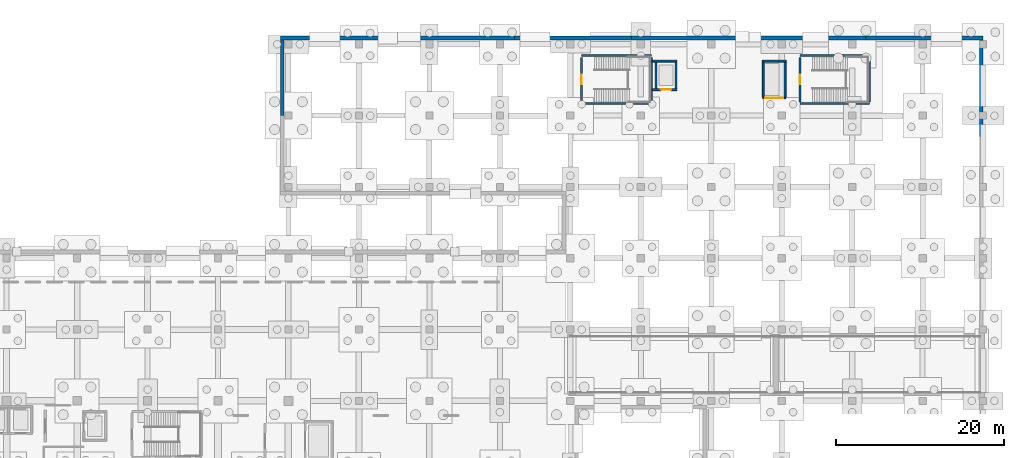
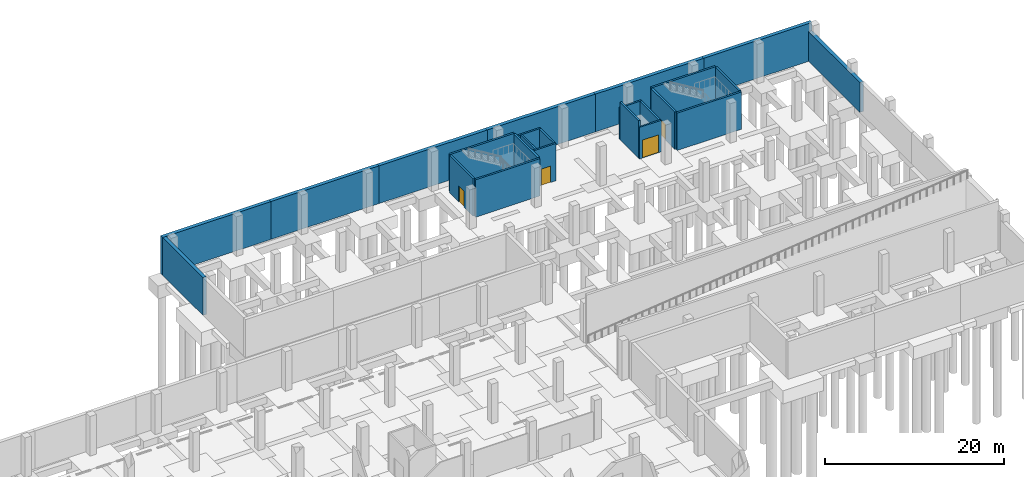
# One storey, part 30 of 34: 24 walls, 4 doors, 4 openings.
"""IFC4 building model written with IfcOpenShell, lengths in metres."""

from ifc_helpers import new_model, si_unit, direction, frame, frame_2d, origin, place, context, subcontext, project, spatial, rectangle, extrude, material, layer, layer_set, type_object, element, fill, save


model = new_model("IFC4")

# Units and contexts
model_context = context("Model", 3, precision=1e-05, world=origin(), true_north=direction((0.0, 1.0)))
body_context = subcontext(model_context, "Body", "Model", "MODEL_VIEW")
ifc_project = project(units=[si_unit("LENGTHUNIT", "METRE"), si_unit("AREAUNIT", "SQUARE_METRE"), si_unit("VOLUMEUNIT", "CUBIC_METRE"), si_unit("PLANEANGLEUNIT", "RADIAN"), si_unit("MASSUNIT", "GRAM", prefix="KILO")], contexts=[model_context])

# Site, building, storey
site_placement = place(None, origin())
site = spatial("IfcSite", under=ifc_project, at=site_placement, CompositionType="ELEMENT")
building_placement = place(site_placement, origin())
building = spatial("IfcBuilding", under=site, at=building_placement, Name="Solvento Point Concert Hall", CompositionType="ELEMENT")
storey_placement = place(building_placement, frame((0.0, 0.0, -5.39990234375)))
storey = spatial("IfcBuildingStorey", under=building, at=storey_placement, Name="B01", CompositionType="ELEMENT", Elevation=-5.39990234375)

# Walls
ifc_material_1 = material(Name="Concrete C40/50", Category="concrete")
ifc_layer_1 = layer(ifc_material_1, 0.300048828125)
ifc_layer_set_1 = layer_set([ifc_layer_1], Name="Concrete C40/50")
wall_type_1 = type_object("IfcWallType", Name="CoreShearWall_300", PredefinedType="SHEAR", material=ifc_layer_set_1)
for number, where, z_axis, x_axis, name in (
    (1, (176.449951171875, 128.949951171875, 0.0), (0.0, 0.0, 1.0), (-1.0, 0.0, 0.0), "Stair core shear wall W-SH1 ST-01 B01"),
    (2, (168.14990234375, 134.64990234375, 0.0), (0.0, 0.0, 1.0), (1.0, 0.0, 0.0), "Stair core shear wall W-SH1 ST-01 B01"),
):
    element("IfcWall", number, at=place(storey_placement, frame(where, z_axis=z_axis, x_axis=x_axis)), inside=storey, type_object=wall_type_1, Name=name, PredefinedType="SHEAR", context=body_context, shape_type="SweptSolid", body=[
        extrude(rectangle(XDim=8.300048828125, YDim=0.25, at=frame_2d((4.14990234375, 0.0))), origin(), (0.0, 0.0, 1.0), 5.099853515625),
    ])

# Wall, opening, door
wall_1_placement = place(storey_placement, frame((168.14990234375, 129.14990234375, 0.0), z_axis=(0.0, 0.0, 1.0), x_axis=(0.0, 1.0, 0.0)))
wall_1 = element("IfcWall", 3, at=wall_1_placement, inside=storey, type_object=wall_type_1, Name="Stair core shear wall W-SH1 ST-01 B01", PredefinedType="SHEAR", context=body_context, shape_type="SweptSolid", body=[
    extrude(rectangle(XDim=5.300048828125, YDim=0.25, at=frame_2d((2.64990234375, 0.0))), origin(), (0.0, 0.0, 1.0), 5.099853515625),
])
opening_1_placement = place(wall_1_placement, frame((2.074951171875, 0.0, 0.0)))
opening_1 = element("IfcOpeningElement", 4, at=opening_1_placement, cuts=wall_1, Name="Opening D-ST1", PredefinedType="OPENING", context=body_context, shape_type="SweptSolid", body=[
    extrude(rectangle(XDim=1.14990234375, YDim=2.179931640625, at=frame_2d((0.574951171875, 1.08984375))), frame((0.0, 0.135009765625, 0.0), z_axis=(0.0, -1.0, 0.0), x_axis=(1.0, 0.0, 0.0)), (0.0, 0.0, 1.0), 0.27001953125),
])
ifc_material_2 = material(Name="Hollow Metal Acoustic Fire Door")
door_type_1 = type_object("IfcDoorType", Name="StairFireDoor_1150", OperationType="NOTDEFINED", PredefinedType="DOOR", material=ifc_material_2)
door_1_placement = place(opening_1_placement, origin())
door_1 = element("IfcDoor", 5, at=door_1_placement, inside=storey, type_object=door_type_1, Name="Protected exit stair door ST-01 B01", OperationType="SINGLE_SWING_LEFT", OverallHeight=2.179931640625, OverallWidth=1.14990234375, PredefinedType="DOOR", context=body_context, shape_type="SweptSolid", body=[
    extrude(rectangle(XDim=1.14990234375, YDim=2.179931640625, at=frame_2d((0.574951171875, 1.08984375))), frame((0.0, 0.02490234375, 0.0), z_axis=(0.0, -1.0, 0.0), x_axis=(1.0, 0.0, 0.0)), (0.0, 0.0, 1.0), 0.050048828125),
])
fill(opening_1, door_1)

# Walls
wall_2_placement = place(storey_placement, frame((176.449951171875, 134.449951171875, 0.0), z_axis=(0.0, 0.0, 1.0), x_axis=(0.0, -1.0, 0.0)))
element("IfcWall", 6, at=wall_2_placement, inside=storey, type_object=wall_type_1, Name="Stair core shear wall W-SH1 ST-01 B01", PredefinedType="SHEAR", context=body_context, shape_type="SweptSolid", body=[
    extrude(rectangle(XDim=5.300048828125, YDim=0.25, at=frame_2d((2.64990234375, 0.0))), origin(), (0.0, 0.0, 1.0), 5.099853515625),
])
for number, where, z_axis, x_axis, name in (
    (7, (202.449951171875, 128.949951171875, 0.0), (0.0, 0.0, 1.0), (-1.0, 0.0, 0.0), "Stair core shear wall W-SH1 ST-02 B01"),
    (8, (194.14990234375, 134.64990234375, 0.0), (0.0, 0.0, 1.0), (1.0, 0.0, 0.0), "Stair core shear wall W-SH1 ST-02 B01"),
):
    element("IfcWall", number, at=place(storey_placement, frame(where, z_axis=z_axis, x_axis=x_axis)), inside=storey, type_object=wall_type_1, Name=name, PredefinedType="SHEAR", context=body_context, shape_type="SweptSolid", body=[
        extrude(rectangle(XDim=8.300048828125, YDim=0.25, at=frame_2d((4.14990234375, 0.0))), origin(), (0.0, 0.0, 1.0), 5.099853515625),
    ])

# Wall, opening, door
wall_3_placement = place(storey_placement, frame((194.14990234375, 129.14990234375, 0.0), z_axis=(0.0, 0.0, 1.0), x_axis=(0.0, 1.0, 0.0)))
wall_3 = element("IfcWall", 9, at=wall_3_placement, inside=storey, type_object=wall_type_1, Name="Stair core shear wall W-SH1 ST-02 B01", PredefinedType="SHEAR", context=body_context, shape_type="SweptSolid", body=[
    extrude(rectangle(XDim=5.300048828125, YDim=0.25, at=frame_2d((2.64990234375, 0.0))), origin(), (0.0, 0.0, 1.0), 5.099853515625),
])
opening_2_placement = place(wall_3_placement, frame((2.074951171875, 0.0, 0.0)))
opening_2 = element("IfcOpeningElement", 10, at=opening_2_placement, cuts=wall_3, Name="Opening D-ST1", PredefinedType="OPENING", context=body_context, shape_type="SweptSolid", body=[
    extrude(rectangle(XDim=1.14990234375, YDim=2.179931640625, at=frame_2d((0.574951171875, 1.08984375))), frame((0.0, 0.135009765625, 0.0), z_axis=(0.0, -1.0, 0.0), x_axis=(1.0, 0.0, 0.0)), (0.0, 0.0, 1.0), 0.27001953125),
])
door_2_placement = place(opening_2_placement, origin())
door_2 = element("IfcDoor", 11, at=door_2_placement, inside=storey, type_object=door_type_1, Name="Protected exit stair door ST-02 B01", OperationType="SINGLE_SWING_RIGHT", OverallHeight=2.179931640625, OverallWidth=1.14990234375, PredefinedType="DOOR", context=body_context, shape_type="SweptSolid", body=[
    extrude(rectangle(XDim=1.14990234375, YDim=2.179931640625, at=frame_2d((0.574951171875, 1.08984375))), frame((0.0, 0.02490234375, 0.0), z_axis=(0.0, -1.0, 0.0), x_axis=(1.0, 0.0, 0.0)), (0.0, 0.0, 1.0), 0.050048828125),
])
fill(opening_2, door_2)

# Wall
wall_4_placement = place(storey_placement, frame((202.449951171875, 134.449951171875, 0.0), z_axis=(0.0, 0.0, 1.0), x_axis=(0.0, -1.0, 0.0)))
element("IfcWall", 12, at=wall_4_placement, inside=storey, type_object=wall_type_1, Name="Stair core shear wall W-SH1 ST-02 B01", PredefinedType="SHEAR", context=body_context, shape_type="SweptSolid", body=[
    extrude(rectangle(XDim=5.300048828125, YDim=0.25, at=frame_2d((2.64990234375, 0.0))), origin(), (0.0, 0.0, 1.0), 5.099853515625),
])

# Wall, opening, door
wall_5_placement = place(storey_placement, frame((176.574951171875, 130.60009765625, 0.0), z_axis=(0.0, 0.0, 1.0), x_axis=(1.0, 0.0, 0.0)))
wall_5 = element("IfcWall", 13, at=wall_5_placement, inside=storey, type_object=wall_type_1, Name="Elevator shaft shear wall W-SH1 LF-01 B01", PredefinedType="SHEAR", context=body_context, shape_type="SweptSolid", body=[
    extrude(rectangle(XDim=2.93505859375, YDim=0.219970703125, at=frame_2d((1.467529296875, 0.0))), origin(), (0.0, 0.0, 1.0), 5.099853515625),
])
opening_3_placement = place(wall_5_placement, frame((1.02490234375, 0.0, 0.0)))
opening_3 = element("IfcOpeningElement", 14, at=opening_3_placement, cuts=wall_5, Name="Opening LD-01", PredefinedType="OPENING", context=body_context, shape_type="SweptSolid", body=[
    extrude(rectangle(XDim=1.199951171875, YDim=2.25, at=frame_2d((0.60009765625, 1.125))), frame((0.0, 0.119873046875, 0.0), z_axis=(0.0, -1.0, 0.0), x_axis=(1.0, 0.0, 0.0)), (0.0, 0.0, 1.0), 0.239990234375),
])
ifc_material_3 = material(Name="Hollow Metal Acoustic Fire Door")
door_type_2 = type_object("IfcDoorType", Name="LiftLandingDoor_FF", OperationType="SLIDING_TO_LEFT", PredefinedType="DOOR", material=ifc_material_3)
door_3_placement = place(opening_3_placement, origin())
door_3 = element("IfcDoor", 15, at=door_3_placement, inside=storey, type_object=door_type_2, Name="Elevator landing door LF-01 B01", OperationType="SLIDING_TO_LEFT", OverallHeight=2.25, OverallWidth=1.199951171875, PredefinedType="DOOR", context=body_context, shape_type="SweptSolid", body=[
    extrude(rectangle(XDim=1.199951171875, YDim=2.25, at=frame_2d((0.60009765625, 1.125))), frame((0.0, 0.02490234375, 0.0), z_axis=(0.0, -1.0, 0.0), x_axis=(1.0, 0.0, 0.0)), (0.0, 0.0, 1.0), 0.050048828125),
])
fill(opening_3, door_3)

# Walls
wall_6_placement = place(storey_placement, frame((176.574951171875, 134.0, 0.0), z_axis=(0.0, 0.0, 1.0), x_axis=(1.0, 0.0, 0.0)))
element("IfcWall", 16, at=wall_6_placement, inside=storey, type_object=wall_type_1, Name="Elevator shaft shear wall W-SH1 LF-01 B01", PredefinedType="SHEAR", context=body_context, shape_type="SweptSolid", body=[
    extrude(rectangle(XDim=2.93505859375, YDim=0.219970703125, at=frame_2d((1.467529296875, 0.0))), origin(), (0.0, 0.0, 1.0), 5.099853515625),
])
for number, where, z_axis, x_axis, name in (
    (17, (177.0, 130.7099609375, 0.0), (0.0, 0.0, 1.0), (0.0, 1.0, 0.0), "Elevator shaft shear wall W-SH1 LF-01 B01"),
    (18, (179.39990234375, 130.7099609375, 0.0), (0.0, 0.0, 1.0), (0.0, 1.0, 0.0), "Elevator shaft shear wall W-SH1 LF-01 B01"),
):
    element("IfcWall", number, at=place(storey_placement, frame(where, z_axis=z_axis, x_axis=x_axis)), inside=storey, type_object=wall_type_1, Name=name, PredefinedType="SHEAR", context=body_context, shape_type="SweptSolid", body=[
        extrude(rectangle(XDim=3.179931640625, YDim=0.219970703125, at=frame_2d((1.58984375, 0.0))), origin(), (0.0, 0.0, 1.0), 5.099853515625),
    ])

# Wall, opening, door
wall_7_placement = place(storey_placement, frame((189.68994140625, 129.60009765625, 0.0), z_axis=(0.0, 0.0, 1.0), x_axis=(1.0, 0.0, 0.0)))
wall_7 = element("IfcWall", 19, at=wall_7_placement, inside=storey, type_object=wall_type_1, Name="Elevator shaft shear wall W-SH1 LG-02 B01", PredefinedType="SHEAR", context=body_context, shape_type="SweptSolid", body=[
    extrude(rectangle(XDim=2.820068359375, YDim=0.219970703125, at=frame_2d((1.41015625, 0.0))), origin(), (0.0, 0.0, 1.0), 4.31396484375),
])
opening_4_placement = place(wall_7_placement, frame((0.360107421875, 0.0, 0.0)))
opening_4 = element("IfcOpeningElement", 20, at=opening_4_placement, cuts=wall_7, Name="Opening LD-03", PredefinedType="OPENING", context=body_context, shape_type="SweptSolid", body=[
    extrude(rectangle(XDim=2.10009765625, YDim=2.449951171875, at=frame_2d((1.050048828125, 1.22509765625))), frame((0.0, 0.119873046875, 0.0), z_axis=(0.0, -1.0, 0.0), x_axis=(1.0, 0.0, 0.0)), (0.0, 0.0, 1.0), 0.239990234375),
])
ifc_material_4 = material(Name="Hollow Metal Acoustic Fire Door")
door_type_3 = type_object("IfcDoorType", Name="LiftLandingDoor_Goods", OperationType="DOUBLE_DOOR_SLIDING", PredefinedType="DOOR", material=ifc_material_4)
door_4_placement = place(opening_4_placement, origin())
door_4 = element("IfcDoor", 21, at=door_4_placement, inside=storey, type_object=door_type_3, Name="Elevator landing door LG-02 B01", OperationType="DOUBLE_DOOR_SLIDING", OverallHeight=2.449951171875, OverallWidth=2.10009765625, PredefinedType="DOOR", context=body_context, shape_type="SweptSolid", body=[
    extrude(rectangle(XDim=2.10009765625, YDim=2.449951171875, at=frame_2d((1.050048828125, 1.22509765625))), frame((0.0, 0.02490234375, 0.0), z_axis=(0.0, -1.0, 0.0), x_axis=(1.0, 0.0, 0.0)), (0.0, 0.0, 1.0), 0.050048828125),
])
fill(opening_4, door_4)

# Walls
wall_8_placement = place(storey_placement, frame((189.68994140625, 134.0, 0.0), z_axis=(0.0, 0.0, 1.0), x_axis=(1.0, 0.0, 0.0)))
element("IfcWall", 22, at=wall_8_placement, inside=storey, type_object=wall_type_1, Name="Elevator shaft shear wall W-SH1 LG-02 B01", PredefinedType="SHEAR", context=body_context, shape_type="SweptSolid", body=[
    extrude(rectangle(XDim=2.820068359375, YDim=0.219970703125, at=frame_2d((1.41015625, 0.0))), origin(), (0.0, 0.0, 1.0), 4.31396484375),
])
wall_9_placement = place(storey_placement, frame((189.800048828125, 129.7099609375, 0.0), z_axis=(0.0, 0.0, 1.0), x_axis=(0.0, 1.0, 0.0)))
element("IfcWall", 23, at=wall_9_placement, inside=storey, type_object=wall_type_1, Name="Elevator shaft shear wall W-SH1 LG-02 B01", PredefinedType="SHEAR", context=body_context, shape_type="SweptSolid", body=[
    extrude(rectangle(XDim=4.179931640625, YDim=0.219970703125, at=frame_2d((2.08984375, 0.0))), origin(), (0.0, 0.0, 1.0), 5.099853515625),
])
wall_10_placement = place(storey_placement, frame((192.39990234375, 129.7099609375, 0.0), z_axis=(0.0, 0.0, 1.0), x_axis=(0.0, 1.0, 0.0)))
element("IfcWall", 24, at=wall_10_placement, inside=storey, type_object=wall_type_1, Name="Elevator shaft shear wall W-SH1 LG-02 B01", PredefinedType="SHEAR", context=body_context, shape_type="SweptSolid", body=[
    extrude(rectangle(XDim=4.179931640625, YDim=0.219970703125, at=frame_2d((2.08984375, 0.0))), origin(), (0.0, 0.0, 1.0), 4.31396484375),
])
ifc_material_5 = material(Name="Concrete C35/45", Category="concrete")
ifc_layer_2 = layer(ifc_material_5, 0.449951171875)
ifc_layer_set_2 = layer_set([ifc_layer_2], Name="Concrete C35/45")
wall_type_2 = type_object("IfcWallType", Name="RetainingWall_450", PredefinedType="USERDEFINED", material=ifc_layer_set_2)
wall_11_placement = place(storey_placement, frame((132.445068359375, 127.5, 0.0), z_axis=(0.0, 0.0, 1.0), x_axis=(0.0, 1.0, 0.0)))
element("IfcWall", 25, at=wall_11_placement, inside=storey, type_object=wall_type_2, Name="Headland plinth retaining wall RW-01", ObjectType="RETAINING WALL", PredefinedType="USERDEFINED", context=body_context, shape_type="SweptSolid", body=[
    extrude(rectangle(XDim=9.030029296875, YDim=0.449951171875, at=frame_2d((4.51513671875, 0.0))), origin(), (0.0, 0.0, 1.0), 5.15478515625),
])
for number, where, z_axis, x_axis, name in (
    (26, (132.219970703125, 136.7548828125, 0.0), (0.0, 0.0, 1.0), (1.0, 0.0, 0.0), "Headland plinth retaining wall RW-01"),
    (27, (146.183349609375, 136.7548828125, 0.0), (0.0, 0.0, 1.0), (1.0, 0.0, 0.0), "Headland plinth retaining wall RW-01"),
    (28, (160.146728515625, 136.7548828125, 0.0), (0.0, 0.0, 1.0), (1.0, 0.0, 0.0), "Headland plinth retaining wall RW-01"),
):
    element("IfcWall", number, at=place(storey_placement, frame(where, z_axis=z_axis, x_axis=x_axis)), inside=storey, type_object=wall_type_2, Name=name, ObjectType="RETAINING WALL", PredefinedType="USERDEFINED", context=body_context, shape_type="SweptSolid", body=[
        extrude(rectangle(XDim=13.96337890625, YDim=0.449951171875, at=frame_2d((6.981689453125, 0.0))), origin(), (0.0, 0.0, 1.0), 5.15478515625),
    ])
wall_12_placement = place(storey_placement, frame((174.110107421875, 136.7548828125, 0.0), z_axis=(0.0, 0.0, 1.0), x_axis=(1.0, 0.0, 0.0)))
element("IfcWall", 29, at=wall_12_placement, inside=storey, type_object=wall_type_2, Name="Headland plinth retaining wall RW-01", ObjectType="RETAINING WALL", PredefinedType="USERDEFINED", context=body_context, shape_type="SweptSolid", body=[
    extrude(rectangle(XDim=13.963134765625, YDim=0.449951171875, at=frame_2d((6.9814453125, 0.0))), origin(), (0.0, 0.0, 1.0), 5.15478515625),
])
for number, where, z_axis, x_axis, name in (
    (30, (188.0732421875, 136.7548828125, 0.0), (0.0, 0.0, 1.0), (1.0, 0.0, 0.0), "Headland plinth retaining wall RW-01"),
    (31, (202.03662109375, 136.7548828125, 0.0), (0.0, 0.0, 1.0), (1.0, 0.0, 0.0), "Headland plinth retaining wall RW-01"),
):
    element("IfcWall", number, at=place(storey_placement, frame(where, z_axis=z_axis, x_axis=x_axis)), inside=storey, type_object=wall_type_2, Name=name, ObjectType="RETAINING WALL", PredefinedType="USERDEFINED", context=body_context, shape_type="SweptSolid", body=[
        extrude(rectangle(XDim=13.96337890625, YDim=0.449951171875, at=frame_2d((6.981689453125, 0.0))), origin(), (0.0, 0.0, 1.0), 5.15478515625),
    ])
wall_13_placement = place(storey_placement, frame((215.77490234375, 136.530029296875, 0.0), z_axis=(0.0, 0.0, 1.0), x_axis=(0.0, -1.0, 0.0)))
element("IfcWall", 32, at=wall_13_placement, inside=storey, type_object=wall_type_2, Name="Headland plinth retaining wall RW-01", ObjectType="RETAINING WALL", PredefinedType="USERDEFINED", context=body_context, shape_type="SweptSolid", body=[
    extrude(rectangle(XDim=11.493408203125, YDim=0.449951171875, at=frame_2d((5.74658203125, 0.0))), origin(), (0.0, 0.0, 1.0), 4.057861328125),
])

save(model, "model.ifc")
